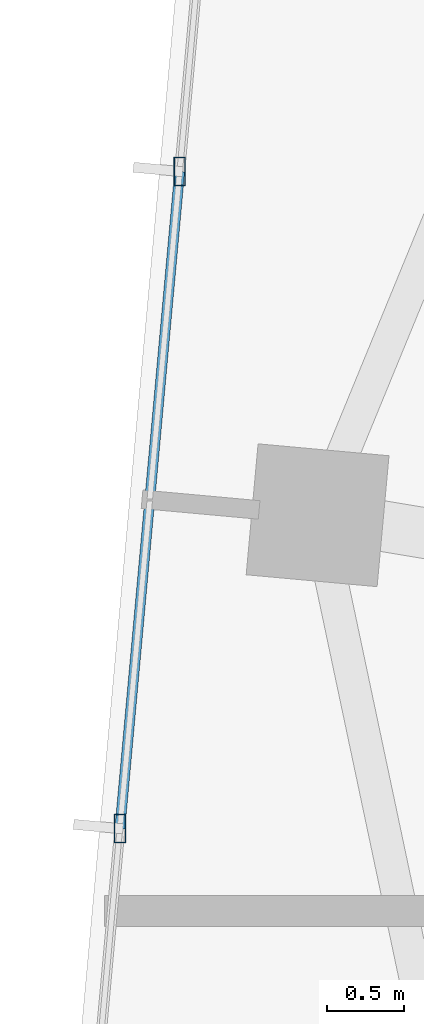
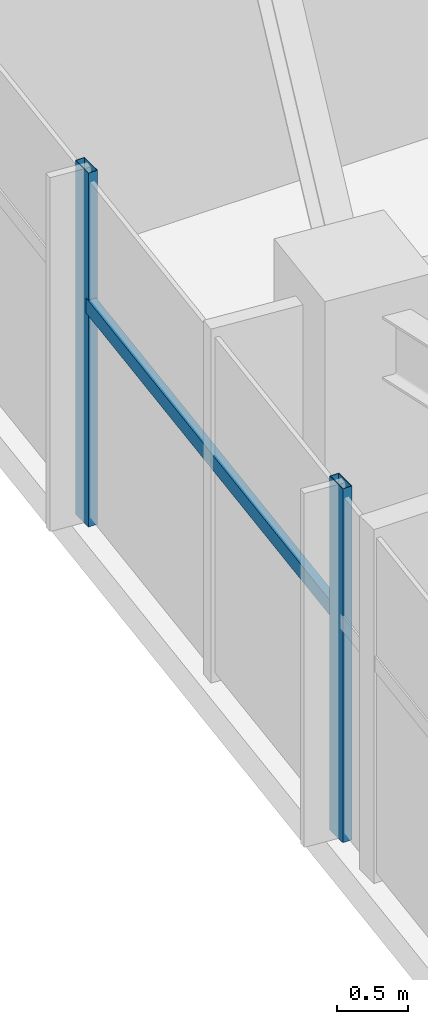
# One storey, part 4 of 22: 3 members, 1 element without a shape of its own.
"""IFC4 building model written with IfcOpenShell, lengths in metres."""

from ifc_helpers import new_model, si_unit, direction, frame, origin, origin_2d, place, context, subcontext, project, spatial, hollow_rectangle, extrude, source, transform, mapped, material, material_profile, profile_set, type_object, type_shapes, element, aggregate, save


model = new_model("IFC4")

# Units and contexts
model_context = context("Model", 3, precision=1e-05, world=origin(), true_north=direction((0.0, 1.0)))
body_context = subcontext(model_context, "Body", "Model", "MODEL_VIEW")
ifc_project = project(units=[si_unit("LENGTHUNIT", "METRE"), si_unit("AREAUNIT", "SQUARE_METRE"), si_unit("VOLUMEUNIT", "CUBIC_METRE"), si_unit("PLANEANGLEUNIT", "RADIAN"), si_unit("MASSUNIT", "GRAM", prefix="KILO")], contexts=[model_context])

# Site, building, storey
site_placement = place(None, origin())
site = spatial("IfcSite", under=ifc_project, at=site_placement, CompositionType="ELEMENT")
building_placement = place(site_placement, origin())
building = spatial("IfcBuilding", under=site, at=building_placement, Name="Astriad Promenade Condominiums", CompositionType="ELEMENT")
storey_placement = place(building_placement, frame((0.0, 0.0, 223.199951171875)))
storey = spatial("IfcBuildingStorey", under=building, at=storey_placement, Name="L64", CompositionType="ELEMENT", Elevation=223.199951171875)

# Curtain wall, members
ifc_material_1 = material(Name="Anodised aluminium Black Dark Glass Unitised", Category="aluminium")
curtain_wall_type = type_object("IfcCurtainWallType", Name="CW-B5-DARK", PredefinedType="USERDEFINED", material=ifc_material_1)
curtain_wall_placement = place(storey_placement, origin())
curtain_wall = element("IfcCurtainWall", 1, at=curtain_wall_placement, inside=storey, type_object=curtain_wall_type, Name="CW-L64-W", ObjectType="UNITISED_CURTAIN_WALL", PredefinedType="USERDEFINED")
ifc_material_2 = material(Name="Anodised aluminium 6063-T6 Black", Category="aluminium")
ifc_material_profile_1 = material_profile(ifc_material_2, hollow_rectangle(XDim=0.06494140625, YDim=0.1298828125, WallThickness=0.00390625, at=origin_2d()), Name="ALU-TRN-65X130")
ifc_profile_set_1 = profile_set([ifc_material_profile_1], Name="Anodised aluminium 6063-T6 Black")
member_type_1 = type_object("IfcMemberType", Name="TRN-ALU-TRN-65X130", PredefinedType="USERDEFINED", material=ifc_profile_set_1)
shared_shape_1 = source(origin(), body_context, "Body", "SweptSolid", [
    extrude(hollow_rectangle(XDim=0.06494140625, YDim=0.1298828125, WallThickness=0.00390625, at=origin_2d()), origin(), (0.0, 0.0, 1.0), 4.266845703125),
])
type_shapes(member_type_1, [shared_shape_1])
member_1_placement = place(storey_placement, frame((9.4326171875, 17.984375, 1.884765625), z_axis=(0.090577018386, 0.995889453574, 0.0), x_axis=(-0.995889453574, 0.090577018386, 0.0)))
member_1 = element("IfcMember", 2, at=member_1_placement, type_object=member_type_1, Name="CW-L64-W-TRN-01-0", ObjectType="TRANSOM", PredefinedType="USERDEFINED", context=body_context, shape_type="MappedRepresentation", body=[
    mapped(shared_shape_1, transform((0.0, 0.0, 0.0), scale=1.0)),
])
ifc_material_profile_2 = material_profile(ifc_material_2, hollow_rectangle(XDim=0.074951171875, YDim=0.18505859375, WallThickness=0.00439453125, at=origin_2d()), Name="ALU-MUL-75X185")
ifc_profile_set_2 = profile_set([ifc_material_profile_2], Name="Anodised aluminium 6063-T6 Black")
member_type_2 = type_object("IfcMemberType", Name="MUL-ALU-MUL-75X185", PredefinedType="MULLION", material=ifc_profile_set_2)
shared_shape_2 = source(origin(), body_context, "Body", "SweptSolid", [
    extrude(hollow_rectangle(XDim=0.074951171875, YDim=0.18505859375, WallThickness=0.00439453125, at=origin_2d()), origin(), (0.0, 0.0, 1.0), 3.0400390625),
])
type_shapes(member_type_2, [shared_shape_2])
member_2_placement = place(storey_placement, frame((9.4326171875, 17.984375, 0.0), z_axis=(0.0, 0.0, 1.0), x_axis=(1.0, 0.0, 0.0)))
member_2 = element("IfcMember", 3, at=member_2_placement, type_object=member_type_2, Name="CW-L64-W-MUL-01", PredefinedType="MULLION", context=body_context, shape_type="MappedRepresentation", body=[
    mapped(shared_shape_2, transform((0.0, 0.0, 0.0), scale=1.0)),
])
member_3_placement = place(storey_placement, frame((9.819091796875, 22.233642578125, 0.0), z_axis=(0.0, 0.0, 1.0), x_axis=(1.0, 0.0, 0.0)))
member_3 = element("IfcMember", 4, at=member_3_placement, type_object=member_type_2, Name="CW-L64-W-MUL-02", PredefinedType="MULLION", context=body_context, shape_type="MappedRepresentation", body=[
    mapped(shared_shape_2, transform((0.0, 0.0, 0.0), scale=1.0)),
])
aggregate(curtain_wall, [member_2, member_3, member_1])

save(model, "model.ifc")
